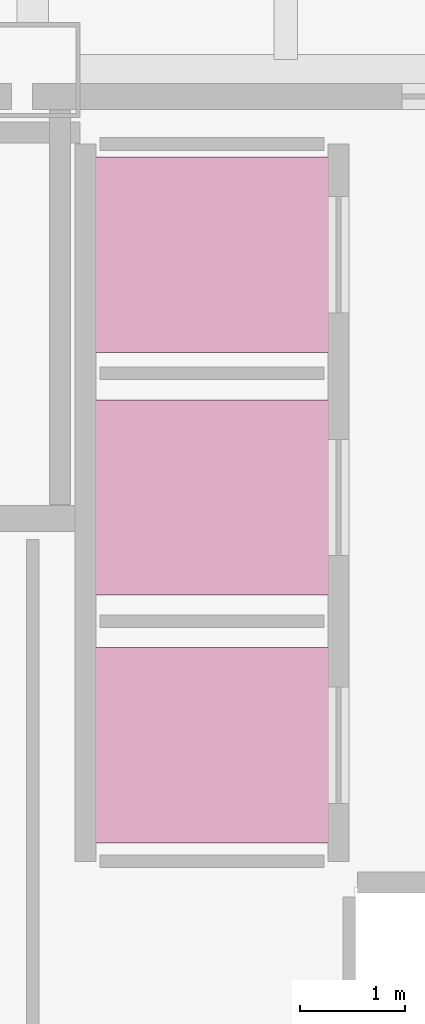
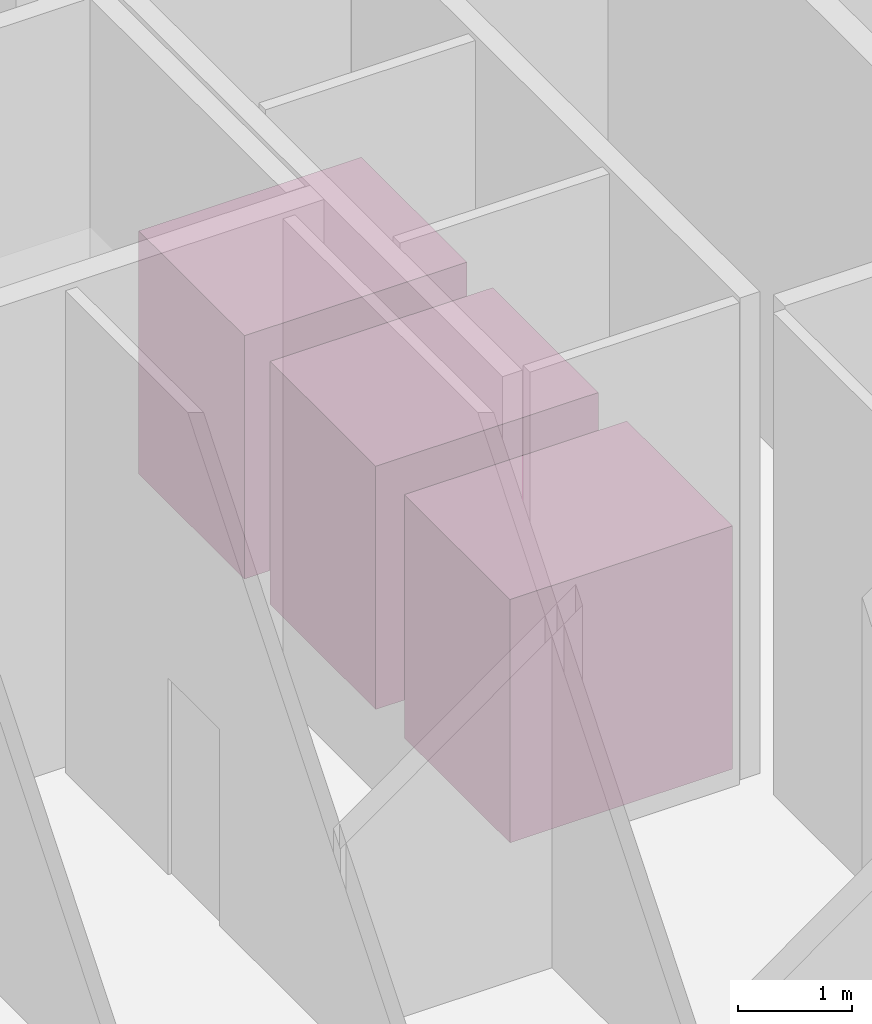
# One storey, part 16 of 16: 3 transport elements.
"""IFC4 building model written with IfcOpenShell, lengths in metres."""

from ifc_helpers import new_model, si_unit, direction, frame, origin, origin_2d, place, context, subcontext, project, spatial, rectangle, extrude, material, type_object, element, save


model = new_model("IFC4")

# Units and contexts
model_context = context("Model", 3, precision=1e-05, world=origin(), true_north=direction((0.0, 1.0)))
body_context = subcontext(model_context, "Body", "Model", "MODEL_VIEW")
ifc_project = project(units=[si_unit("LENGTHUNIT", "METRE"), si_unit("AREAUNIT", "SQUARE_METRE"), si_unit("VOLUMEUNIT", "CUBIC_METRE"), si_unit("PLANEANGLEUNIT", "RADIAN"), si_unit("MASSUNIT", "GRAM", prefix="KILO")], contexts=[model_context])

# Site, building, storey
site_placement = place(None, origin())
site = spatial("IfcSite", under=ifc_project, at=site_placement, CompositionType="ELEMENT")
building_placement = place(site_placement, origin())
building = spatial("IfcBuilding", under=site, at=building_placement, Name="Kallvorn Hotel Tower", CompositionType="ELEMENT")
storey_placement = place(building_placement, frame((0.0, 0.0, -5.39990234375)))
storey = spatial("IfcBuildingStorey", under=building, at=storey_placement, Name="B1", CompositionType="ELEMENT", Elevation=-5.39990234375)

# Transport elements
ifc_material = material(Name="Stainless-steel passenger elevator cab assembly", Category="steel")
transport_element_type = type_object("IfcTransportElementType", Name="LIFT_OBS_2000", PredefinedType="ELEVATOR", material=ifc_material)
for number, where, z_axis, x_axis, name in (
    (1, (6.5, 0.800048828125, -0.000244140625), (0.0, 0.0, 1.0), (1.0, 0.0, 0.0), "Passenger Lift OB-01"),
    (2, (6.5, 3.14990234375, -0.000244140625), (0.0, 0.0, 1.0), (1.0, 0.0, 0.0), "Passenger Lift OB-02"),
    (3, (6.5, 5.449951171875, -0.000244140625), (0.0, 0.0, 1.0), (1.0, 0.0, 0.0), "Passenger Lift OB-03"),
):
    element("IfcTransportElement", number, at=place(storey_placement, frame(where, z_axis=z_axis, x_axis=x_axis)), inside=storey, type_object=transport_element_type, Name=name, PredefinedType="ELEVATOR", context=body_context, shape_type="SweptSolid", body=[
        extrude(rectangle(XDim=2.25, YDim=1.85009765625, at=origin_2d()), origin(), (0.0, 0.0, 1.0), 2.60009765625),
    ])

save(model, "model.ifc")
